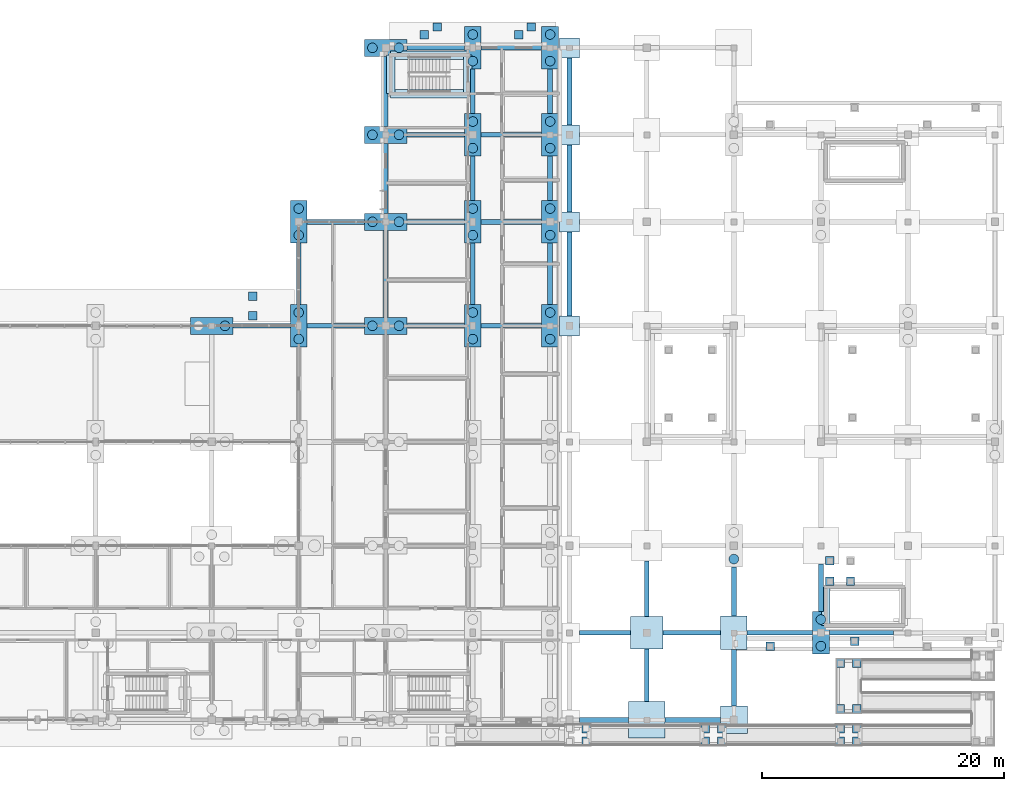
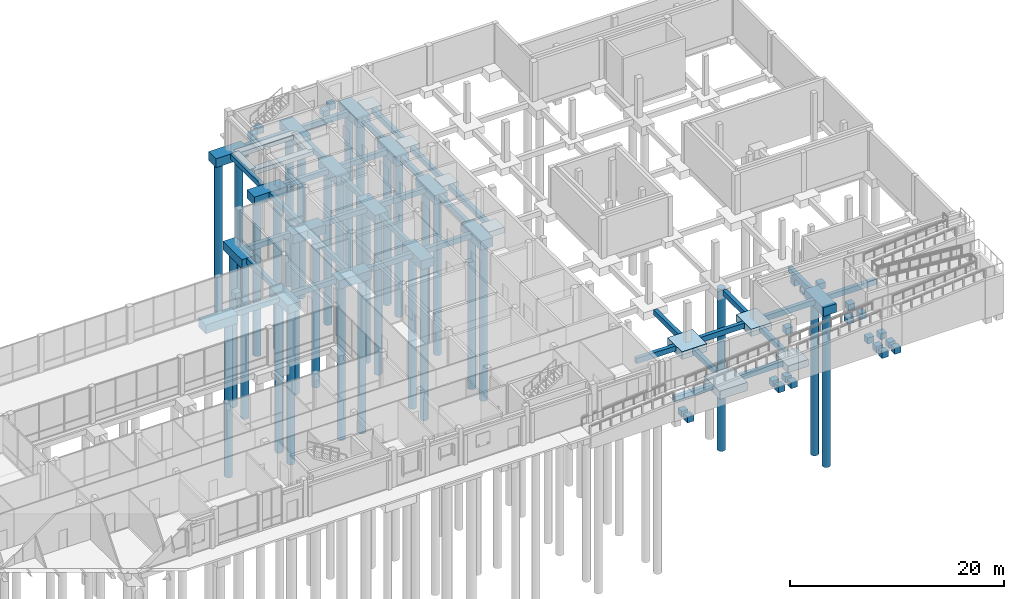
# One storey, part 3 of 104: 89 footings, 32 piles.
"""IFC4 building model written with IfcOpenShell, lengths in metres."""

from ifc_helpers import new_model, si_unit, direction, frame, origin, origin_2d, place, context, subcontext, project, spatial, rectangle, circle, extrude, material, layer, layer_set, material_profile, profile_set, type_object, element, save


model = new_model("IFC4")

# Units and contexts
model_context = context("Model", 3, precision=1e-05, world=origin(), true_north=direction((0.0, 1.0)))
body_context = subcontext(model_context, "Body", "Model", "MODEL_VIEW")
ifc_project = project(units=[si_unit("LENGTHUNIT", "METRE"), si_unit("AREAUNIT", "SQUARE_METRE"), si_unit("VOLUMEUNIT", "CUBIC_METRE"), si_unit("PLANEANGLEUNIT", "RADIAN"), si_unit("MASSUNIT", "GRAM", prefix="KILO")], contexts=[model_context])

# Site, building, storey
site_placement = place(None, origin())
site = spatial("IfcSite", under=ifc_project, at=site_placement, CompositionType="ELEMENT")
building_placement = place(site_placement, origin())
building = spatial("IfcBuilding", under=site, at=building_placement, Name="Hawrajan Terrace Health Centre", CompositionType="ELEMENT")
storey_placement = place(building_placement, origin())
storey = spatial("IfcBuildingStorey", under=building, at=storey_placement, Name="L00", CompositionType="ELEMENT", Elevation=0.0)

# Piles
ifc_material = material(Name="Concrete C40/50", Category="concrete")
ifc_material_profile_1 = material_profile(ifc_material, circle(Radius=0.39990234375, at=origin_2d()), Name="BP 800")
ifc_profile_set_1 = profile_set([ifc_material_profile_1], Name="Concrete C40/50")
pile_type = type_object("IfcPileType", Name="BoredPile_800", PredefinedType="BORED", material=ifc_profile_set_1)
for number, where, z_axis, x_axis, name in (
    (1, (101.699951171875, 36.800048828125, -0.5), (0.0, 0.0, -1.0), (1.0, 0.0, 0.0), "Bored pile P-285"),
    (2, (107.800048828125, 35.699951171875, -0.5), (0.0, 0.0, -1.0), (1.0, 0.0, 0.0), "Bored pile P-295"),
    (3, (107.800048828125, 37.89990234375, -0.5), (0.0, 0.0, -1.0), (1.0, 0.0, 0.0), "Bored pile P-296"),
    (4, (107.800048828125, 44.300048828125, -0.5), (0.0, 0.0, -1.0), (1.0, 0.0, 0.0), "Bored pile P-297"),
    (5, (107.800048828125, 46.5, -0.5), (0.0, 0.0, -1.0), (1.0, 0.0, 0.0), "Bored pile P-298"),
    (6, (113.89990234375, 36.800048828125, -0.5), (0.0, 0.0, -1.0), (1.0, 0.0, 0.0), "Bored pile P-307"),
    (7, (116.10009765625, 36.800048828125, -0.5), (0.0, 0.0, -1.0), (1.0, 0.0, 0.0), "Bored pile P-308"),
    (8, (113.89990234375, 45.39990234375, -0.5), (0.0, 0.0, -1.0), (1.0, 0.0, 0.0), "Bored pile P-309"),
    (9, (116.10009765625, 45.39990234375, -0.5), (0.0, 0.0, -1.0), (1.0, 0.0, 0.0), "Bored pile P-310"),
    (10, (113.89990234375, 52.60009765625, -0.5), (0.0, 0.0, -1.0), (1.0, 0.0, 0.0), "Bored pile P-311"),
    (11, (116.10009765625, 52.60009765625, -0.5), (0.0, 0.0, -1.0), (1.0, 0.0, 0.0), "Bored pile P-312"),
    (12, (113.89990234375, 59.800048828125, -0.5), (0.0, 0.0, -1.0), (1.0, 0.0, 0.0), "Bored pile P-313"),
    (13, (116.10009765625, 59.800048828125, -0.5), (0.0, 0.0, -1.0), (1.0, 0.0, 0.0), "Bored pile P-314"),
    (14, (122.199951171875, 35.699951171875, -0.5), (0.0, 0.0, -1.0), (1.0, 0.0, 0.0), "Bored pile P-323"),
    (15, (122.199951171875, 37.89990234375, -0.5), (0.0, 0.0, -1.0), (1.0, 0.0, 0.0), "Bored pile P-324"),
    (16, (122.199951171875, 44.300048828125, -0.5), (0.0, 0.0, -1.0), (1.0, 0.0, 0.0), "Bored pile P-325"),
    (17, (122.199951171875, 46.5, -0.5), (0.0, 0.0, -1.0), (1.0, 0.0, 0.0), "Bored pile P-326"),
    (18, (122.199951171875, 51.5, -0.5), (0.0, 0.0, -1.0), (1.0, 0.0, 0.0), "Bored pile P-327"),
    (19, (122.199951171875, 53.699951171875, -0.5), (0.0, 0.0, -1.0), (1.0, 0.0, 0.0), "Bored pile P-328"),
    (20, (122.199951171875, 58.699951171875, -0.5), (0.0, 0.0, -1.0), (1.0, 0.0, 0.0), "Bored pile P-329"),
    (21, (122.199951171875, 60.89990234375, -0.5), (0.0, 0.0, -1.0), (1.0, 0.0, 0.0), "Bored pile P-330"),
    (22, (128.60009765625, 35.699951171875, -0.5), (0.0, 0.0, -1.0), (1.0, 0.0, 0.0), "Bored pile P-339"),
    (23, (128.60009765625, 37.89990234375, -0.5), (0.0, 0.0, -1.0), (1.0, 0.0, 0.0), "Bored pile P-340"),
    (24, (128.60009765625, 44.300048828125, -0.5), (0.0, 0.0, -1.0), (1.0, 0.0, 0.0), "Bored pile P-341"),
    (25, (128.60009765625, 46.5, -0.5), (0.0, 0.0, -1.0), (1.0, 0.0, 0.0), "Bored pile P-342"),
    (26, (128.60009765625, 51.5, -0.5), (0.0, 0.0, -1.0), (1.0, 0.0, 0.0), "Bored pile P-343"),
    (27, (128.60009765625, 53.699951171875, -0.5), (0.0, 0.0, -1.0), (1.0, 0.0, 0.0), "Bored pile P-344"),
    (28, (128.60009765625, 58.699951171875, -0.5), (0.0, 0.0, -1.0), (1.0, 0.0, 0.0), "Bored pile P-345"),
    (29, (128.60009765625, 60.89990234375, -0.5), (0.0, 0.0, -1.0), (1.0, 0.0, 0.0), "Bored pile P-346"),
    (30, (143.800048828125, 17.5, -0.5), (0.0, 0.0, -1.0), (1.0, 0.0, 0.0), "Bored pile P-347"),
    (31, (151.0, 10.300048828125, -0.5), (0.0, 0.0, -1.0), (1.0, 0.0, 0.0), "Bored pile P-351"),
    (32, (151.0, 12.5, -0.5), (0.0, 0.0, -1.0), (1.0, 0.0, 0.0), "Bored pile P-352"),
):
    element("IfcPile", number, at=place(storey_placement, frame(where, z_axis=z_axis, x_axis=x_axis)), inside=storey, type_object=pile_type, Name=name, PredefinedType="BORED", context=body_context, shape_type="SweptSolid", body=[
        extrude(circle(Radius=0.39990234375, at=origin_2d()), origin(), (0.0, 0.0, 1.0), 18.5),
    ])

# Footings
ifc_material_profile_2 = material_profile(ifc_material, rectangle(XDim=0.39990234375, YDim=0.60009765625, at=origin_2d()), Name="RC BM 400x600")
ifc_profile_set_2 = profile_set([ifc_material_profile_2], Name="Concrete C40/50")
footing_type_1 = type_object("IfcFootingType", Name="GroundBeam_400x600", PredefinedType="FOOTING_BEAM", material=ifc_profile_set_2)
for number, where, z_axis, x_axis, name in (
    (33, (102.35009765625, 36.800048828125, -0.699951171875), (1.0, 0.0, 0.0), (0.0, 1.0, 0.0), "Ground tie beam GB-X-C-13-5"),
    (34, (108.5, 36.800048828125, -0.699951171875), (1.0, 0.0, 0.0), (0.0, 1.0, 0.0), "Ground tie beam GB-X-C-14-5"),
):
    element("IfcFooting", number, at=place(storey_placement, frame(where, z_axis=z_axis, x_axis=x_axis)), inside=storey, type_object=footing_type_1, Name=name, PredefinedType="FOOTING_BEAM", context=body_context, shape_type="SweptSolid", body=[
        extrude(rectangle(XDim=0.39990234375, YDim=0.60009765625, at=origin_2d()), origin(), (0.0, 0.0, 1.0), 4.75),
    ])
footing_1_placement = place(storey_placement, frame((107.800048828125, 38.550048828125, -0.699951171875), z_axis=(0.0, 1.0, 0.0), x_axis=(-1.0, 0.0, 0.0)))
element("IfcFooting", 35, at=footing_1_placement, inside=storey, type_object=footing_type_1, Name="Ground tie beam GB-Y-C-14-5", PredefinedType="FOOTING_BEAM", context=body_context, shape_type="SweptSolid", body=[
    extrude(rectangle(XDim=0.39990234375, YDim=0.60009765625, at=origin_2d()), origin(), (0.0, 0.0, 1.0), 5.099853515625),
])
for number, where, z_axis, x_axis, name in (
    (36, (108.5, 45.39990234375, -0.699951171875), (1.0, 0.0, 0.0), (0.0, 1.0, 0.0), "Ground tie beam GB-X-C-14-6"),
    (37, (116.75, 36.800048828125, -0.699951171875), (1.0, 0.0, 0.0), (0.0, 1.0, 0.0), "Ground tie beam GB-X-C-15-5"),
):
    element("IfcFooting", number, at=place(storey_placement, frame(where, z_axis=z_axis, x_axis=x_axis)), inside=storey, type_object=footing_type_1, Name=name, PredefinedType="FOOTING_BEAM", context=body_context, shape_type="SweptSolid", body=[
        extrude(rectangle(XDim=0.39990234375, YDim=0.60009765625, at=origin_2d()), origin(), (0.0, 0.0, 1.0), 4.75),
    ])
footing_2_placement = place(storey_placement, frame((115.0, 37.5, -0.699951171875), z_axis=(0.0, 1.0, 0.0), x_axis=(-1.0, 0.0, 0.0)))
element("IfcFooting", 38, at=footing_2_placement, inside=storey, type_object=footing_type_1, Name="Ground tie beam GB-Y-C-15-5", PredefinedType="FOOTING_BEAM", context=body_context, shape_type="SweptSolid", body=[
    extrude(rectangle(XDim=0.39990234375, YDim=0.60009765625, at=origin_2d()), origin(), (0.0, 0.0, 1.0), 7.199951171875),
])
footing_3_placement = place(storey_placement, frame((116.75, 45.39990234375, -0.699951171875), z_axis=(1.0, 0.0, 0.0), x_axis=(0.0, 1.0, 0.0)))
element("IfcFooting", 39, at=footing_3_placement, inside=storey, type_object=footing_type_1, Name="Ground tie beam GB-X-C-15-6", PredefinedType="FOOTING_BEAM", context=body_context, shape_type="SweptSolid", body=[
    extrude(rectangle(XDim=0.39990234375, YDim=0.60009765625, at=origin_2d()), origin(), (0.0, 0.0, 1.0), 4.75),
])
footing_4_placement = place(storey_placement, frame((115.0, 46.10009765625, -0.699951171875), z_axis=(0.0, 1.0, 0.0), x_axis=(-1.0, 0.0, 0.0)))
element("IfcFooting", 40, at=footing_4_placement, inside=storey, type_object=footing_type_1, Name="Ground tie beam GB-Y-C-15-6", PredefinedType="FOOTING_BEAM", context=body_context, shape_type="SweptSolid", body=[
    extrude(rectangle(XDim=0.39990234375, YDim=0.60009765625, at=origin_2d()), origin(), (0.0, 0.0, 1.0), 5.7998046875),
])
footing_5_placement = place(storey_placement, frame((116.75, 52.60009765625, -0.699951171875), z_axis=(1.0, 0.0, 0.0), x_axis=(0.0, 1.0, 0.0)))
element("IfcFooting", 41, at=footing_5_placement, inside=storey, type_object=footing_type_1, Name="Ground tie beam GB-X-C-15-7", PredefinedType="FOOTING_BEAM", context=body_context, shape_type="SweptSolid", body=[
    extrude(rectangle(XDim=0.39990234375, YDim=0.60009765625, at=origin_2d()), origin(), (0.0, 0.0, 1.0), 4.75),
])
footing_6_placement = place(storey_placement, frame((115.0, 53.300048828125, -0.699951171875), z_axis=(0.0, 1.0, 0.0), x_axis=(-1.0, 0.0, 0.0)))
element("IfcFooting", 42, at=footing_6_placement, inside=storey, type_object=footing_type_1, Name="Ground tie beam GB-Y-C-15-7", PredefinedType="FOOTING_BEAM", context=body_context, shape_type="SweptSolid", body=[
    extrude(rectangle(XDim=0.39990234375, YDim=0.60009765625, at=origin_2d()), origin(), (0.0, 0.0, 1.0), 5.800048828125),
])
footing_7_placement = place(storey_placement, frame((116.75, 59.800048828125, -0.699951171875), z_axis=(1.0, 0.0, 0.0), x_axis=(0.0, 1.0, 0.0)))
element("IfcFooting", 43, at=footing_7_placement, inside=storey, type_object=footing_type_1, Name="Ground tie beam GB-X-C-15-8", PredefinedType="FOOTING_BEAM", context=body_context, shape_type="SweptSolid", body=[
    extrude(rectangle(XDim=0.39990234375, YDim=0.60009765625, at=origin_2d()), origin(), (0.0, 0.0, 1.0), 4.75),
])
footing_8_placement = place(storey_placement, frame((122.89990234375, 36.800048828125, -0.699951171875), z_axis=(1.0, 0.0, 0.0), x_axis=(0.0, 1.0, 0.0)))
element("IfcFooting", 44, at=footing_8_placement, inside=storey, type_object=footing_type_1, Name="Ground tie beam GB-X-C-16-5", PredefinedType="FOOTING_BEAM", context=body_context, shape_type="SweptSolid", body=[
    extrude(rectangle(XDim=0.39990234375, YDim=0.60009765625, at=origin_2d()), origin(), (0.0, 0.0, 1.0), 5.0),
])
footing_9_placement = place(storey_placement, frame((122.199951171875, 38.550048828125, -0.699951171875), z_axis=(0.0, 1.0, 0.0), x_axis=(-1.0, 0.0, 0.0)))
element("IfcFooting", 45, at=footing_9_placement, inside=storey, type_object=footing_type_1, Name="Ground tie beam GB-Y-C-16-5", PredefinedType="FOOTING_BEAM", context=body_context, shape_type="SweptSolid", body=[
    extrude(rectangle(XDim=0.39990234375, YDim=0.60009765625, at=origin_2d()), origin(), (0.0, 0.0, 1.0), 5.099853515625),
])
footing_10_placement = place(storey_placement, frame((122.89990234375, 45.39990234375, -0.699951171875), z_axis=(1.0, 0.0, 0.0), x_axis=(0.0, 1.0, 0.0)))
element("IfcFooting", 46, at=footing_10_placement, inside=storey, type_object=footing_type_1, Name="Ground tie beam GB-X-C-16-6", PredefinedType="FOOTING_BEAM", context=body_context, shape_type="SweptSolid", body=[
    extrude(rectangle(XDim=0.39990234375, YDim=0.60009765625, at=origin_2d()), origin(), (0.0, 0.0, 1.0), 5.0),
])
footing_11_placement = place(storey_placement, frame((122.199951171875, 47.14990234375, -0.699951171875), z_axis=(0.0, 1.0, 0.0), x_axis=(-1.0, 0.0, 0.0)))
element("IfcFooting", 47, at=footing_11_placement, inside=storey, type_object=footing_type_1, Name="Ground tie beam GB-Y-C-16-6", PredefinedType="FOOTING_BEAM", context=body_context, shape_type="SweptSolid", body=[
    extrude(rectangle(XDim=0.39990234375, YDim=0.60009765625, at=origin_2d()), origin(), (0.0, 0.0, 1.0), 3.7001953125),
])
footing_12_placement = place(storey_placement, frame((122.89990234375, 52.60009765625, -0.699951171875), z_axis=(1.0, 0.0, 0.0), x_axis=(0.0, 1.0, 0.0)))
element("IfcFooting", 48, at=footing_12_placement, inside=storey, type_object=footing_type_1, Name="Ground tie beam GB-X-C-16-7", PredefinedType="FOOTING_BEAM", context=body_context, shape_type="SweptSolid", body=[
    extrude(rectangle(XDim=0.39990234375, YDim=0.60009765625, at=origin_2d()), origin(), (0.0, 0.0, 1.0), 5.0),
])
footing_13_placement = place(storey_placement, frame((122.199951171875, 54.35009765625, -0.699951171875), z_axis=(0.0, 1.0, 0.0), x_axis=(-1.0, 0.0, 0.0)))
element("IfcFooting", 49, at=footing_13_placement, inside=storey, type_object=footing_type_1, Name="Ground tie beam GB-Y-C-16-7", PredefinedType="FOOTING_BEAM", context=body_context, shape_type="SweptSolid", body=[
    extrude(rectangle(XDim=0.39990234375, YDim=0.60009765625, at=origin_2d()), origin(), (0.0, 0.0, 1.0), 3.699951171875),
])
footing_14_placement = place(storey_placement, frame((122.89990234375, 59.800048828125, -0.699951171875), z_axis=(1.0, 0.0, 0.0), x_axis=(0.0, 1.0, 0.0)))
element("IfcFooting", 50, at=footing_14_placement, inside=storey, type_object=footing_type_1, Name="Ground tie beam GB-X-C-16-8", PredefinedType="FOOTING_BEAM", context=body_context, shape_type="SweptSolid", body=[
    extrude(rectangle(XDim=0.39990234375, YDim=0.60009765625, at=origin_2d()), origin(), (0.0, 0.0, 1.0), 5.0),
])
footing_15_placement = place(storey_placement, frame((128.60009765625, 38.550048828125, -0.699951171875), z_axis=(0.0, 1.0, 0.0), x_axis=(-1.0, 0.0, 0.0)))
element("IfcFooting", 51, at=footing_15_placement, inside=storey, type_object=footing_type_1, Name="Ground tie beam GB-Y-C-17-5", PredefinedType="FOOTING_BEAM", context=body_context, shape_type="SweptSolid", body=[
    extrude(rectangle(XDim=0.39990234375, YDim=0.60009765625, at=origin_2d()), origin(), (0.0, 0.0, 1.0), 5.099853515625),
])
footing_16_placement = place(storey_placement, frame((128.60009765625, 47.14990234375, -0.699951171875), z_axis=(0.0, 1.0, 0.0), x_axis=(-1.0, 0.0, 0.0)))
element("IfcFooting", 52, at=footing_16_placement, inside=storey, type_object=footing_type_1, Name="Ground tie beam GB-Y-C-17-6", PredefinedType="FOOTING_BEAM", context=body_context, shape_type="SweptSolid", body=[
    extrude(rectangle(XDim=0.39990234375, YDim=0.60009765625, at=origin_2d()), origin(), (0.0, 0.0, 1.0), 3.7001953125),
])
footing_17_placement = place(storey_placement, frame((128.60009765625, 54.35009765625, -0.699951171875), z_axis=(0.0, 1.0, 0.0), x_axis=(-1.0, 0.0, 0.0)))
element("IfcFooting", 53, at=footing_17_placement, inside=storey, type_object=footing_type_1, Name="Ground tie beam GB-Y-C-17-7", PredefinedType="FOOTING_BEAM", context=body_context, shape_type="SweptSolid", body=[
    extrude(rectangle(XDim=0.39990234375, YDim=0.60009765625, at=origin_2d()), origin(), (0.0, 0.0, 1.0), 3.699951171875),
])
footing_18_placement = place(storey_placement, frame((131.02490234375, 4.199951171875, -0.699951171875), z_axis=(1.0, 0.0, 0.0), x_axis=(0.0, 1.0, 0.0)))
element("IfcFooting", 54, at=footing_18_placement, inside=storey, type_object=footing_type_1, Name="Ground tie beam GB-X-E-17-1", PredefinedType="FOOTING_BEAM", context=body_context, shape_type="SweptSolid", body=[
    extrude(rectangle(XDim=0.39990234375, YDim=0.60009765625, at=origin_2d()), origin(), (0.0, 0.0, 1.0), 4.0751953125),
])
footing_19_placement = place(storey_placement, frame((131.02490234375, 11.39990234375, -0.699951171875), z_axis=(1.0, 0.0, 0.0), x_axis=(0.0, 1.0, 0.0)))
element("IfcFooting", 55, at=footing_19_placement, inside=storey, type_object=footing_type_1, Name="Ground tie beam GB-X-E-17-2", PredefinedType="FOOTING_BEAM", context=body_context, shape_type="SweptSolid", body=[
    extrude(rectangle(XDim=0.39990234375, YDim=0.60009765625, at=origin_2d()), origin(), (0.0, 0.0, 1.0), 4.22509765625),
])
footing_20_placement = place(storey_placement, frame((130.199951171875, 37.625, -0.699951171875), z_axis=(0.0, 1.0, 0.0), x_axis=(-1.0, 0.0, 0.0)))
element("IfcFooting", 56, at=footing_20_placement, inside=storey, type_object=footing_type_1, Name="Ground tie beam GB-Y-E-17-5", PredefinedType="FOOTING_BEAM", context=body_context, shape_type="SweptSolid", body=[
    extrude(rectangle(XDim=0.39990234375, YDim=0.60009765625, at=origin_2d()), origin(), (0.0, 0.0, 1.0), 6.949951171875),
])
footing_21_placement = place(storey_placement, frame((130.199951171875, 46.22509765625, -0.699951171875), z_axis=(0.0, 1.0, 0.0), x_axis=(-1.0, 0.0, 0.0)))
element("IfcFooting", 57, at=footing_21_placement, inside=storey, type_object=footing_type_1, Name="Ground tie beam GB-Y-E-17-6", PredefinedType="FOOTING_BEAM", context=body_context, shape_type="SweptSolid", body=[
    extrude(rectangle(XDim=0.39990234375, YDim=0.60009765625, at=origin_2d()), origin(), (0.0, 0.0, 1.0), 5.5498046875),
])
footing_22_placement = place(storey_placement, frame((130.199951171875, 53.425048828125, -0.699951171875), z_axis=(0.0, 1.0, 0.0), x_axis=(-1.0, 0.0, 0.0)))
element("IfcFooting", 58, at=footing_22_placement, inside=storey, type_object=footing_type_1, Name="Ground tie beam GB-Y-E-17-7", PredefinedType="FOOTING_BEAM", context=body_context, shape_type="SweptSolid", body=[
    extrude(rectangle(XDim=0.39990234375, YDim=0.60009765625, at=origin_2d()), origin(), (0.0, 0.0, 1.0), 5.550048828125),
])
footing_23_placement = place(storey_placement, frame((138.10009765625, 4.199951171875, -0.699951171875), z_axis=(1.0, 0.0, 0.0), x_axis=(0.0, 1.0, 0.0)))
element("IfcFooting", 59, at=footing_23_placement, inside=storey, type_object=footing_type_1, Name="Ground tie beam GB-X-E-18-1", PredefinedType="FOOTING_BEAM", context=body_context, shape_type="SweptSolid", body=[
    extrude(rectangle(XDim=0.39990234375, YDim=0.60009765625, at=origin_2d()), origin(), (0.0, 0.0, 1.0), 4.574951171875),
])
footing_24_placement = place(storey_placement, frame((136.60009765625, 5.699951171875, -0.699951171875), z_axis=(0.0, 1.0, 0.0), x_axis=(-1.0, 0.0, 0.0)))
element("IfcFooting", 60, at=footing_24_placement, inside=storey, type_object=footing_type_1, Name="Ground tie beam GB-Y-E-18-1", PredefinedType="FOOTING_BEAM", context=body_context, shape_type="SweptSolid", body=[
    extrude(rectangle(XDim=0.39990234375, YDim=0.60009765625, at=origin_2d()), origin(), (0.0, 0.0, 1.0), 4.35009765625),
])
footing_25_placement = place(storey_placement, frame((137.949951171875, 11.39990234375, -0.699951171875), z_axis=(1.0, 0.0, 0.0), x_axis=(0.0, 1.0, 0.0)))
element("IfcFooting", 61, at=footing_25_placement, inside=storey, type_object=footing_type_1, Name="Ground tie beam GB-X-E-18-2", PredefinedType="FOOTING_BEAM", context=body_context, shape_type="SweptSolid", body=[
    extrude(rectangle(XDim=0.39990234375, YDim=0.60009765625, at=origin_2d()), origin(), (0.0, 0.0, 1.0), 4.75),
])
footing_26_placement = place(storey_placement, frame((136.60009765625, 12.75, -0.699951171875), z_axis=(0.0, 1.0, 0.0), x_axis=(-1.0, 0.0, 0.0)))
element("IfcFooting", 62, at=footing_26_placement, inside=storey, type_object=footing_type_1, Name="Ground tie beam GB-Y-E-18-2", PredefinedType="FOOTING_BEAM", context=body_context, shape_type="SweptSolid", body=[
    extrude(rectangle(XDim=0.39990234375, YDim=0.60009765625, at=origin_2d()), origin(), (0.0, 0.0, 1.0), 4.574951171875),
])
footing_27_placement = place(storey_placement, frame((143.800048828125, 5.324951171875, -0.699951171875), z_axis=(0.0, 1.0, 0.0), x_axis=(-1.0, 0.0, 0.0)))
element("IfcFooting", 63, at=footing_27_placement, inside=storey, type_object=footing_type_1, Name="Ground tie beam GB-Y-E-19-1", PredefinedType="FOOTING_BEAM", context=body_context, shape_type="SweptSolid", body=[
    extrude(rectangle(XDim=0.39990234375, YDim=0.60009765625, at=origin_2d()), origin(), (0.0, 0.0, 1.0), 4.675048828125),
])
footing_28_placement = place(storey_placement, frame((144.89990234375, 11.39990234375, -0.699951171875), z_axis=(1.0, 0.0, 0.0), x_axis=(0.0, 1.0, 0.0)))
element("IfcFooting", 64, at=footing_28_placement, inside=storey, type_object=footing_type_1, Name="Ground tie beam GB-X-E-19-2", PredefinedType="FOOTING_BEAM", context=body_context, shape_type="SweptSolid", body=[
    extrude(rectangle(XDim=0.39990234375, YDim=0.60009765625, at=origin_2d()), origin(), (0.0, 0.0, 1.0), 5.400146484375),
])
footing_29_placement = place(storey_placement, frame((143.800048828125, 12.800048828125, -0.699951171875), z_axis=(0.0, 1.0, 0.0), x_axis=(-1.0, 0.0, 0.0)))
element("IfcFooting", 65, at=footing_29_placement, inside=storey, type_object=footing_type_1, Name="Ground tie beam GB-Y-E-19-2", PredefinedType="FOOTING_BEAM", context=body_context, shape_type="SweptSolid", body=[
    extrude(rectangle(XDim=0.39990234375, YDim=0.60009765625, at=origin_2d()), origin(), (0.0, 0.0, 1.0), 4.050048828125),
])
footing_30_placement = place(storey_placement, frame((151.699951171875, 11.39990234375, -0.699951171875), z_axis=(1.0, 0.0, 0.0), x_axis=(0.0, 1.0, 0.0)))
element("IfcFooting", 66, at=footing_30_placement, inside=storey, type_object=footing_type_1, Name="Ground tie beam GB-X-E-20-2", PredefinedType="FOOTING_BEAM", context=body_context, shape_type="SweptSolid", body=[
    extrude(rectangle(XDim=0.39990234375, YDim=0.60009765625, at=origin_2d()), origin(), (0.0, 0.0, 1.0), 5.300048828125),
])
footing_31_placement = place(storey_placement, frame((151.0, 13.14990234375, -0.699951171875), z_axis=(0.0, 1.0, 0.0), x_axis=(-1.0, 0.0, 0.0)))
element("IfcFooting", 67, at=footing_31_placement, inside=storey, type_object=footing_type_1, Name="Ground tie beam GB-Y-E-20-2", PredefinedType="FOOTING_BEAM", context=body_context, shape_type="SweptSolid", body=[
    extrude(rectangle(XDim=0.39990234375, YDim=0.60009765625, at=origin_2d()), origin(), (0.0, 0.0, 1.0), 3.9501953125),
])
ifc_layer_1 = layer(ifc_material, 0.64990234375)
ifc_layer_set_1 = layer_set([ifc_layer_1], Name="Concrete C40/50")
footing_type_2 = type_object("IfcFootingType", Name="PadFooting_1650", PredefinedType="PAD_FOOTING", material=ifc_layer_set_1)
for number, where, z_axis, x_axis, name in (
    (68, (130.199951171875, 36.800048828125, -1.050048828125), (0.0, 0.0, 1.0), (1.0, 0.0, 0.0), "Foundation FT-E-X17-Y5"),
    (69, (130.199951171875, 45.39990234375, -1.050048828125), (0.0, 0.0, 1.0), (1.0, 0.0, 0.0), "Foundation FT-E-X17-Y6"),
    (70, (130.199951171875, 52.60009765625, -1.050048828125), (0.0, 0.0, 1.0), (1.0, 0.0, 0.0), "Foundation FT-E-X17-Y7"),
    (71, (130.199951171875, 59.800048828125, -1.050048828125), (0.0, 0.0, 1.0), (1.0, 0.0, 0.0), "Foundation FT-E-X17-Y8"),
):
    element("IfcFooting", number, at=place(storey_placement, frame(where, z_axis=z_axis, x_axis=x_axis)), inside=storey, type_object=footing_type_2, Name=name, PredefinedType="PAD_FOOTING", context=body_context, shape_type="SweptSolid", body=[
        extrude(rectangle(XDim=1.64990234375, YDim=1.64990234375, at=origin_2d()), origin(), (0.0, 0.0, 1.0), 0.64990234375),
    ])
ifc_layer_2 = layer(ifc_material, 0.85009765625)
ifc_layer_set_2 = layer_set([ifc_layer_2], Name="Concrete C40/50")
footing_type_3 = type_object("IfcFootingType", Name="PadFooting_2200x2800", PredefinedType="PAD_FOOTING", material=ifc_layer_set_2)
footing_32_placement = place(storey_placement, frame((143.800048828125, 11.39990234375, -1.25), z_axis=(0.0, 0.0, 1.0), x_axis=(1.0, 0.0, 0.0)))
element("IfcFooting", 72, at=footing_32_placement, inside=storey, type_object=footing_type_3, Name="Foundation FT-E-X19-Y2", PredefinedType="PAD_FOOTING", context=body_context, shape_type="SweptSolid", body=[
    extrude(rectangle(XDim=2.199951171875, YDim=2.800048828125, at=origin_2d()), origin(), (0.0, 0.0, 1.0), 0.85009765625),
])
ifc_layer_3 = layer(ifc_material, 0.800048828125)
ifc_layer_set_3 = layer_set([ifc_layer_3], Name="Concrete C40/50")
footing_type_4 = type_object("IfcFootingType", Name="PadFooting_2250", PredefinedType="PAD_FOOTING", material=ifc_layer_set_3)
footing_33_placement = place(storey_placement, frame((143.800048828125, 4.199951171875, -1.2001953125), z_axis=(0.0, 0.0, 1.0), x_axis=(1.0, 0.0, 0.0)))
element("IfcFooting", 73, at=footing_33_placement, inside=storey, type_object=footing_type_4, Name="Foundation FT-E-X19-Y1", PredefinedType="PAD_FOOTING", context=body_context, shape_type="SweptSolid", body=[
    extrude(rectangle(XDim=2.25, YDim=2.25, at=origin_2d()), origin(), (0.0, 0.0, 1.0), 0.800048828125),
])
ifc_layer_4 = layer(ifc_material, 0.89990234375)
ifc_layer_set_4 = layer_set([ifc_layer_4], Name="Concrete C40/50")
footing_type_5 = type_object("IfcFootingType", Name="PadFooting_2700", PredefinedType="PAD_FOOTING", material=ifc_layer_set_4)
footing_34_placement = place(storey_placement, frame((136.60009765625, 11.39990234375, -1.300048828125), z_axis=(0.0, 0.0, 1.0), x_axis=(1.0, 0.0, 0.0)))
element("IfcFooting", 74, at=footing_34_placement, inside=storey, type_object=footing_type_5, Name="Foundation FT-E-X18-Y2", PredefinedType="PAD_FOOTING", context=body_context, shape_type="SweptSolid", body=[
    extrude(rectangle(XDim=2.699951171875, YDim=2.699951171875, at=origin_2d()), origin(), (0.0, 0.0, 1.0), 0.89990234375),
])
ifc_layer_5 = layer(ifc_material, 0.949951171875)
ifc_layer_set_5 = layer_set([ifc_layer_5], Name="Concrete C40/50")
footing_type_6 = type_object("IfcFootingType", Name="PadFooting_3000", PredefinedType="PAD_FOOTING", material=ifc_layer_set_5)
footing_35_placement = place(storey_placement, frame((136.60009765625, 4.199951171875, -1.35009765625), z_axis=(0.0, 0.0, 1.0), x_axis=(1.0, 0.0, 0.0)))
element("IfcFooting", 75, at=footing_35_placement, inside=storey, type_object=footing_type_6, Name="Foundation FT-E-X18-Y1", PredefinedType="PAD_FOOTING", context=body_context, shape_type="SweptSolid", body=[
    extrude(rectangle(XDim=3.0, YDim=3.0, at=origin_2d()), origin(), (0.0, 0.0, 1.0), 0.949951171875),
])
ifc_layer_6 = layer(ifc_material, 0.699951171875)
ifc_layer_set_6 = layer_set([ifc_layer_6], Name="Concrete C40/50")
footing_type_7 = type_object("IfcFootingType", Name="PadFooting_700", PredefinedType="PAD_FOOTING", material=ifc_layer_set_6)
for number, where, z_axis, x_axis, name in (
    (76, (104.0, 37.64990234375, -0.89990234375), (0.0, 0.0, 1.0), (1.0, 0.0, 0.0), "Apron pad footing APRON-L00-NCOURT-2"),
    (77, (104.0, 39.25, -0.89990234375), (0.0, 0.0, 1.0), (1.0, 0.0, 0.0), "Apron pad footing APRON-L00-NCOURT-3"),
    (78, (118.199951171875, 60.8701171875, -0.89990234375), (0.0, 0.0, 1.0), (1.0, 0.0, 0.0), "Apron pad footing APRON-L00-NE-1"),
    (79, (126.0, 60.8701171875, -0.89990234375), (0.0, 0.0, 1.0), (1.0, 0.0, 0.0), "Apron pad footing APRON-L00-NE-2"),
    (80, (127.050048828125, 61.52001953125, -0.89990234375), (0.0, 0.0, 1.0), (1.0, 0.0, 0.0), "Apron pad footing APRON-L00-NE-3"),
    (81, (119.25, 61.52001953125, -0.89990234375), (0.0, 0.0, 1.0), (1.0, 0.0, 0.0), "Apron pad footing APRON-L00-NE-4"),
    (82, (146.800048828125, 10.280029296875, -2.2998046875), (0.0, 0.0, 1.0), (1.0, 0.0, 0.0), "Escarpment plinth pad footing APRON-L01-EAST-SOUTH-1"),
    (83, (153.800048828125, 10.7099609375, -2.2998046875), (0.0, 0.0, 1.0), (1.0, 0.0, 0.0), "Escarpment plinth pad footing APRON-L01-EAST-SOUTH-2"),
    (84, (131.580078125, 2.419921875, -2.2998046875), (0.0, 0.0, 1.0), (1.0, 0.0, 0.0), "Escarpment plinth pad footing RMP-01-LND-2"),
    (85, (131.580078125, 3.47998046875, -2.2998046875), (0.0, 0.0, 1.0), (1.0, 0.0, 0.0), "Escarpment plinth pad footing RMP-01-LND-3"),
    (86, (141.419921875, 2.419921875, -2.2998046875), (0.0, 0.0, 1.0), (1.0, 0.0, 0.0), "Escarpment plinth pad footing RMP-02-LND-1"),
    (87, (142.780029296875, 2.419921875, -2.2998046875), (0.0, 0.0, 1.0), (1.0, 0.0, 0.0), "Escarpment plinth pad footing RMP-02-LND-2"),
    (88, (142.780029296875, 3.47998046875, -2.2998046875), (0.0, 0.0, 1.0), (1.0, 0.0, 0.0), "Escarpment plinth pad footing RMP-02-LND-3"),
    (89, (141.419921875, 3.47998046875, -2.2998046875), (0.0, 0.0, 1.0), (1.0, 0.0, 0.0), "Escarpment plinth pad footing RMP-02-LND-4"),
    (90, (152.6201171875, 2.419921875, -2.2998046875), (0.0, 0.0, 1.0), (1.0, 0.0, 0.0), "Escarpment plinth pad footing RMP-03-LND-1"),
    (91, (153.97998046875, 2.419921875, -2.2998046875), (0.0, 0.0, 1.0), (1.0, 0.0, 0.0), "Escarpment plinth pad footing RMP-03-LND-2"),
    (92, (153.97998046875, 3.47998046875, -2.2998046875), (0.0, 0.0, 1.0), (1.0, 0.0, 0.0), "Escarpment plinth pad footing RMP-03-LND-3"),
    (93, (152.6201171875, 3.47998046875, -2.2998046875), (0.0, 0.0, 1.0), (1.0, 0.0, 0.0), "Escarpment plinth pad footing RMP-03-LND-4"),
    (94, (152.6201171875, 5.1201171875, -2.2998046875), (0.0, 0.0, 1.0), (1.0, 0.0, 0.0), "Escarpment plinth pad footing RMP-05-LND-1"),
    (95, (153.97998046875, 5.1201171875, -2.2998046875), (0.0, 0.0, 1.0), (1.0, 0.0, 0.0), "Escarpment plinth pad footing RMP-05-LND-2"),
    (96, (153.97998046875, 8.8798828125, -2.2998046875), (0.0, 0.0, 1.0), (1.0, 0.0, 0.0), "Escarpment plinth pad footing RMP-05-LND-3"),
    (97, (152.6201171875, 8.8798828125, -2.2998046875), (0.0, 0.0, 1.0), (1.0, 0.0, 0.0), "Escarpment plinth pad footing RMP-05-LND-4"),
    (98, (151.75, 15.64990234375, -2.7998046875), (0.0, 0.0, 1.0), (1.0, 0.0, 0.0), "Lift pit pad footing LC-06-1"),
    (99, (153.449951171875, 15.64990234375, -2.7998046875), (0.0, 0.0, 1.0), (1.0, 0.0, 0.0), "Lift pit pad footing LC-06-2"),
    (100, (151.75, 17.35009765625, -2.7998046875), (0.0, 0.0, 1.0), (1.0, 0.0, 0.0), "Lift pit pad footing LC-06-4"),
):
    element("IfcFooting", number, at=place(storey_placement, frame(where, z_axis=z_axis, x_axis=x_axis)), inside=storey, type_object=footing_type_7, Name=name, PredefinedType="PAD_FOOTING", context=body_context, shape_type="SweptSolid", body=[
        extrude(rectangle(XDim=0.699951171875, YDim=0.699951171875, at=origin_2d()), origin(), (0.0, 0.0, 1.0), 0.699951171875),
    ])
ifc_layer_7 = layer(ifc_material, 1.0)
ifc_layer_set_7 = layer_set([ifc_layer_7], Name="Concrete C40/50")
footing_type_8 = type_object("IfcFootingType", Name="PileCap_2P800_EW", PredefinedType="PILE_CAP", material=ifc_layer_set_7)
for number, where, z_axis, x_axis, name in (
    (101, (100.60009765625, 36.800048828125, -1.39990234375), (0.0, 0.0, 1.0), (1.0, 0.0, 0.0), "Foundation FT-C-X13-Y5"),
    (102, (115.0, 36.800048828125, -1.39990234375), (0.0, 0.0, 1.0), (1.0, 0.0, 0.0), "Foundation FT-C-X15-Y5"),
    (103, (115.0, 45.39990234375, -1.39990234375), (0.0, 0.0, 1.0), (1.0, 0.0, 0.0), "Foundation FT-C-X15-Y6"),
    (104, (115.0, 52.60009765625, -1.39990234375), (0.0, 0.0, 1.0), (1.0, 0.0, 0.0), "Foundation FT-C-X15-Y7"),
    (105, (115.0, 59.800048828125, -1.39990234375), (0.0, 0.0, 1.0), (1.0, 0.0, 0.0), "Foundation FT-C-X15-Y8"),
):
    element("IfcFooting", number, at=place(storey_placement, frame(where, z_axis=z_axis, x_axis=x_axis)), inside=storey, type_object=footing_type_8, Name=name, PredefinedType="PILE_CAP", context=body_context, shape_type="SweptSolid", body=[
        extrude(rectangle(XDim=3.5, YDim=1.39990234375, at=origin_2d()), origin(), (0.0, 0.0, 1.0), 1.0),
    ])
ifc_layer_8 = layer(ifc_material, 1.0)
ifc_layer_set_8 = layer_set([ifc_layer_8], Name="Concrete C40/50")
footing_type_9 = type_object("IfcFootingType", Name="PileCap_2P800_NS", PredefinedType="PILE_CAP", material=ifc_layer_set_8)
for number, where, z_axis, x_axis, name in (
    (106, (107.800048828125, 36.800048828125, -1.39990234375), (0.0, 0.0, 1.0), (1.0, 0.0, 0.0), "Foundation FT-C-X14-Y5"),
    (107, (107.800048828125, 45.39990234375, -1.39990234375), (0.0, 0.0, 1.0), (1.0, 0.0, 0.0), "Foundation FT-C-X14-Y6"),
    (108, (122.199951171875, 36.800048828125, -1.39990234375), (0.0, 0.0, 1.0), (1.0, 0.0, 0.0), "Foundation FT-C-X16-Y5"),
    (109, (122.199951171875, 45.39990234375, -1.39990234375), (0.0, 0.0, 1.0), (1.0, 0.0, 0.0), "Foundation FT-C-X16-Y6"),
    (110, (122.199951171875, 52.60009765625, -1.39990234375), (0.0, 0.0, 1.0), (1.0, 0.0, 0.0), "Foundation FT-C-X16-Y7"),
    (111, (122.199951171875, 59.800048828125, -1.39990234375), (0.0, 0.0, 1.0), (1.0, 0.0, 0.0), "Foundation FT-C-X16-Y8"),
    (112, (128.60009765625, 36.800048828125, -1.39990234375), (0.0, 0.0, 1.0), (1.0, 0.0, 0.0), "Foundation FT-C-X17-Y5"),
    (113, (128.60009765625, 45.39990234375, -1.39990234375), (0.0, 0.0, 1.0), (1.0, 0.0, 0.0), "Foundation FT-C-X17-Y6"),
    (114, (128.60009765625, 52.60009765625, -1.39990234375), (0.0, 0.0, 1.0), (1.0, 0.0, 0.0), "Foundation FT-C-X17-Y7"),
    (115, (128.60009765625, 59.800048828125, -1.39990234375), (0.0, 0.0, 1.0), (1.0, 0.0, 0.0), "Foundation FT-C-X17-Y8"),
    (116, (151.0, 11.39990234375, -1.39990234375), (0.0, 0.0, 1.0), (1.0, 0.0, 0.0), "Foundation FT-E-X20-Y2"),
):
    element("IfcFooting", number, at=place(storey_placement, frame(where, z_axis=z_axis, x_axis=x_axis)), inside=storey, type_object=footing_type_9, Name=name, PredefinedType="PILE_CAP", context=body_context, shape_type="SweptSolid", body=[
        extrude(rectangle(XDim=1.39990234375, YDim=3.5, at=origin_2d()), origin(), (0.0, 0.0, 1.0), 1.0),
    ])
ifc_material_profile_3 = material_profile(ifc_material, rectangle(XDim=0.699951171875, YDim=0.5, at=origin_2d()), Name="RC STRIP 700x500")
ifc_profile_set_3 = profile_set([ifc_material_profile_3], Name="Concrete C40/50")
footing_type_10 = type_object("IfcFootingType", Name="StripFooting_700x500", PredefinedType="STRIP_FOOTING", material=ifc_profile_set_3)
for number, where, z_axis, x_axis, name in (
    (117, (115.39990234375, 56.0, -0.64990234375), (1.0, 0.0, 0.0), (0.0, 1.0, 0.0), "Stair shaft strip footing S7-S"),
    (118, (115.39990234375, 59.199951171875, -0.64990234375), (1.0, 0.0, 0.0), (0.0, 1.0, 0.0), "Stair shaft strip footing S7-N"),
):
    element("IfcFooting", number, at=place(storey_placement, frame(where, z_axis=z_axis, x_axis=x_axis)), inside=storey, type_object=footing_type_10, Name=name, PredefinedType="STRIP_FOOTING", context=body_context, shape_type="SweptSolid", body=[
        extrude(rectangle(XDim=0.699951171875, YDim=0.5, at=origin_2d()), origin(), (0.0, 0.0, 1.0), 6.400146484375),
    ])
for number, where, z_axis, x_axis, name in (
    (119, (115.39990234375, 56.0, -0.64990234375), (0.0, 1.0, 0.0), (-1.0, 0.0, 0.0), "Stair shaft strip footing S7-W"),
    (120, (121.800048828125, 56.0, -0.64990234375), (0.0, 1.0, 0.0), (-1.0, 0.0, 0.0), "Stair shaft strip footing S7-E"),
    (121, (151.39990234375, 12.0, -1.75), (0.0, 1.0, 0.0), (-1.0, 0.0, 0.0), "Stair shaft strip footing S8-W"),
):
    element("IfcFooting", number, at=place(storey_placement, frame(where, z_axis=z_axis, x_axis=x_axis)), inside=storey, type_object=footing_type_10, Name=name, PredefinedType="STRIP_FOOTING", context=body_context, shape_type="SweptSolid", body=[
        extrude(rectangle(XDim=0.699951171875, YDim=0.5, at=origin_2d()), origin(), (0.0, 0.0, 1.0), 3.199951171875),
    ])

save(model, "model.ifc")
